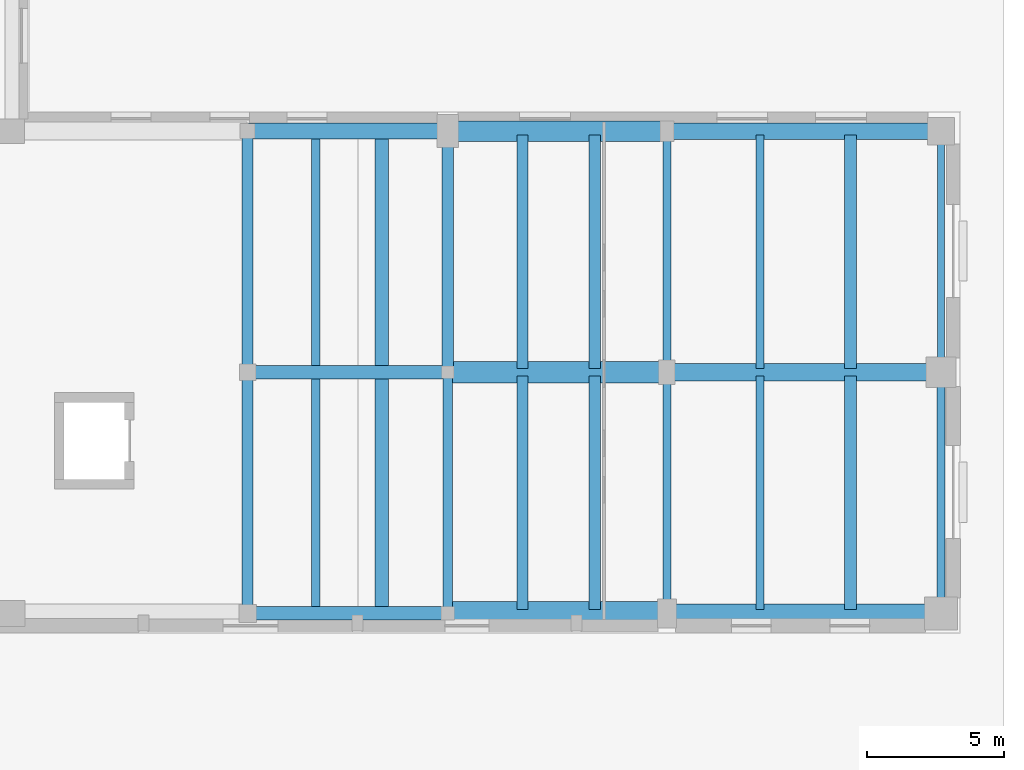
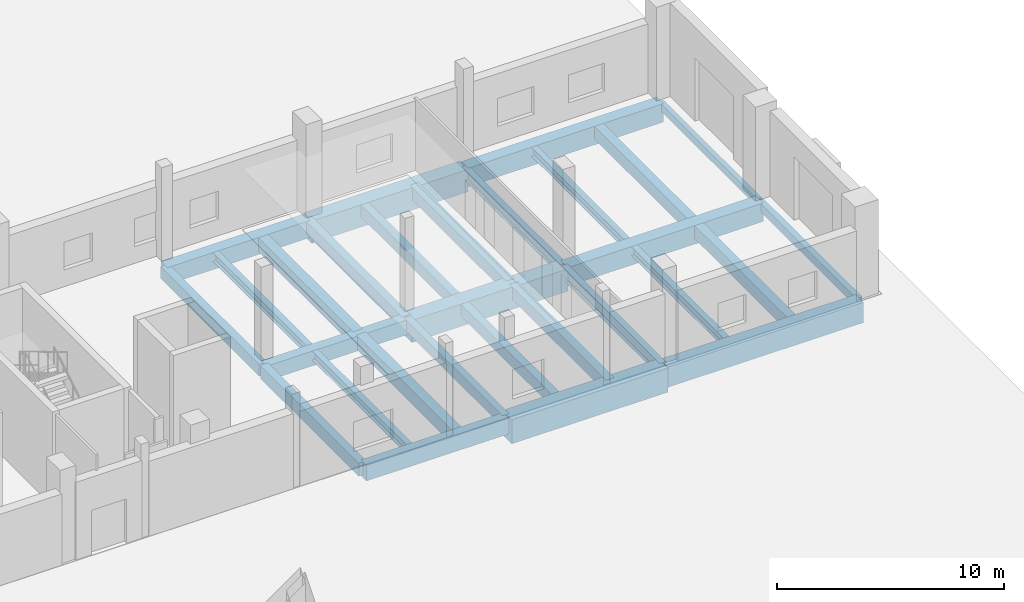
# One storey, part 32 of 74: 29 beams.
"""IFC4 building model written with IfcOpenShell, lengths in metres."""

import ifcopenshell
import ifcopenshell.guid

model = None  # the IFC model being written
_history = None  # IfcOwnerHistory: only IFC2X3 demands one
_inside = {}  # id of a spatial element -> (the spatial element, [elements in it])
_under = {}  # id of a project, library or spatial element -> (it, [spatial elements below it])
_declared = {}  # id of a project -> (the project, [libraries it declares])
_typed = {}  # id of a type object -> (the type object, [elements of that type])
_made_of = {}  # id of a material, layer set ... -> (it, [elements and type objects made of it])


def new_model(schema):
    """Start an empty IFC model of exactly this schema.

    Asked for "IFC4X3", IfcOpenShell would pick the latest addendum, in which some entities
    have other attributes; the version numbers below select the first issue.
    IFC2X3 requires an IfcOwnerHistory on every rooted entity: one is made here for all.
    """
    global model, _history
    if schema == "IFC4X3":
        model = ifcopenshell.file(schema_version=(4, 3, 0, 0))
    else:
        model = ifcopenshell.file(schema=schema)
    _inside.clear()
    _under.clear()
    _declared.clear()
    _typed.clear()
    _made_of.clear()
    _history = None
    if model.schema == "IFC2X3":
        org = make("IfcOrganization", Name="unknown")
        user = make(
            "IfcPersonAndOrganization",
            ThePerson=make("IfcPerson", FamilyName="unknown"),
            TheOrganization=org,
        )
        app = make(
            "IfcApplication",
            ApplicationDeveloper=org,
            Version="unknown",
            ApplicationFullName="unknown",
            ApplicationIdentifier="unknown",
        )
        _history = make(
            "IfcOwnerHistory",
            OwningUser=user,
            OwningApplication=app,
            ChangeAction="ADDED",
            CreationDate=0,
        )
    return model


def make(cls, **values):
    """One entity of the class cls with the attributes given. An attribute that is None is left unset."""
    return model.create_entity(
        cls, **{name: value for name, value in values.items() if value is not None}
    )


def rooted(cls, **values):
    """An entity with a GlobalId (a new one), such as an element, a storey or a relation."""
    return make(cls, GlobalId=ifcopenshell.guid.new(), OwnerHistory=_history, **values)


def si_unit(unit_type, name, prefix=None):
    """IfcSIUnit, for example si_unit("LENGTHUNIT", "METRE", prefix="MILLI")."""
    return make("IfcSIUnit", UnitType=unit_type, Prefix=prefix, Name=name)


def assignment(units):
    """IfcUnitAssignment: the units of a project."""
    return None if units is None else make("IfcUnitAssignment", Units=units)


def point(xyz):
    """IfcCartesianPoint."""
    return None if xyz is None else make("IfcCartesianPoint", Coordinates=xyz)


def direction(xyz):
    """IfcDirection."""
    return None if xyz is None else make("IfcDirection", DirectionRatios=xyz)


def frame(location, z_axis=None, x_axis=None):
    """IfcAxis2Placement3D, a coordinate frame: its origin and axes. An axis left out is left unset."""
    return make(
        "IfcAxis2Placement3D",
        Location=point(location),
        Axis=direction(z_axis),
        RefDirection=direction(x_axis),
    )


def frame_2d(location, x_axis=None):
    """IfcAxis2Placement2D, a coordinate frame in the plane: its origin and x axis."""
    return make(
        "IfcAxis2Placement2D", Location=point(location), RefDirection=direction(x_axis)
    )


def origin():
    """The frame at (0, 0, 0) with its axes left unset."""
    return frame((0.0, 0.0, 0.0))


def origin_2d():
    """The frame at (0, 0) in the plane with its x axis left unset."""
    return frame_2d((0.0, 0.0))


def place(relative_to, where):
    """IfcLocalPlacement: puts the frame where relative to a parent placement (None: the world)."""
    return make(
        "IfcLocalPlacement", PlacementRelTo=relative_to, RelativePlacement=where
    )


def context(
    kind, dimensions, precision=None, world=None, true_north=None, identifier=None
):
    """IfcGeometricRepresentationContext, for example the 3D "Model" context."""
    return make(
        "IfcGeometricRepresentationContext",
        ContextIdentifier=identifier,
        ContextType=kind,
        CoordinateSpaceDimension=dimensions,
        Precision=precision,
        WorldCoordinateSystem=world,
        TrueNorth=true_north,
    )


def subcontext(parent, identifier, kind, view, scale=None):
    """IfcGeometricRepresentationSubContext, for example "Body" below "Model"."""
    return make(
        "IfcGeometricRepresentationSubContext",
        ContextIdentifier=identifier,
        ContextType=kind,
        ParentContext=parent,
        TargetScale=scale,
        TargetView=view,
    )


def project(units=None, contexts=None):
    """IfcProject with its units and contexts."""
    return rooted(
        "IfcProject",
        Name="project",
        RepresentationContexts=contexts,
        UnitsInContext=assignment(units),
    )


def spatial(cls, under=None, at=None, **own):
    """A site, building, storey or space (cls), placed at a placement, below another one or the project."""
    s = rooted(cls, ObjectPlacement=at, **own)
    if under is not None:
        _under.setdefault(under.id(), (under, []))[1].append(s)
    return s


def profile(cls, at=None, kind="AREA", **sizes):
    """A parametric profile (cls). Its sizes go by their IFC names, for example OverallWidth=200.0."""
    return make(cls, ProfileType=kind, Position=at, **sizes)


def rectangle(**sizes):
    """IfcRectangleProfileDef."""
    return profile("IfcRectangleProfileDef", **sizes)


def i_section(**sizes):
    """IfcIShapeProfileDef."""
    return profile("IfcIShapeProfileDef", **sizes)


def extrude(swept, where, along, depth):
    """IfcExtrudedAreaSolid: the profile swept, set in the frame where, extruded along a direction by depth."""
    return make(
        "IfcExtrudedAreaSolid",
        SweptArea=swept,
        Position=where,
        ExtrudedDirection=direction(along),
        Depth=depth,
    )


def shape(context_of_items, identifier, shape_type, items):
    """IfcShapeRepresentation: the items that make up one representation, for example the "Body"."""
    return make(
        "IfcShapeRepresentation",
        ContextOfItems=context_of_items,
        RepresentationIdentifier=identifier,
        RepresentationType=shape_type,
        Items=items,
    )


def material(Name=None, Category=None):
    """IfcMaterial."""
    return make("IfcMaterial", Name=Name, Category=Category)


def material_profile(
    of_material, cross_section, Name=None, Category=None, Priority=None
):
    """IfcMaterialProfile: a cross section and its material."""
    return make(
        "IfcMaterialProfile",
        Name=Name,
        Material=of_material,
        Profile=cross_section,
        Priority=Priority,
        Category=Category,
    )


def profile_set(profiles, Name=None, composite=None):
    """IfcMaterialProfileSet."""
    return make(
        "IfcMaterialProfileSet",
        Name=Name,
        MaterialProfiles=profiles,
        CompositeProfile=composite,
    )


def made_of(thing, what):
    """Note that an element or type object is made of a material, layer set ...; save() writes the relation."""
    if what is not None:
        _made_of.setdefault(what.id(), (what, []))[1].append(thing)
    return thing


def type_object(cls, material=None, **own):
    """A type object (cls), such as IfcWallType, which elements share."""
    return made_of(rooted(cls, **own), material)


def element(
    cls,
    number,
    at=None,
    inside=None,
    cuts=None,
    type_object=None,
    material=None,
    context=None,
    identifier="Body",
    shape_type=None,
    held_by="IfcProductDefinitionShape",
    body=None,
    shapes=None,
    **own,
):
    """One element of the class cls, such as IfcWall. Its Tag is "e" and its number.

    at: its placement. inside: the storey or other place that contains it. cuts: it is an
    opening in that element (IfcRelVoidsElement). A single representation is given by context,
    identifier, shape_type and body (its items); several are given by shapes. held_by: the class
    of the entity that holds the representations. save() writes the other relations.
    """
    e = rooted(cls, Tag="e%d" % number, ObjectPlacement=at, **own)
    if body is not None:
        shapes = [shape(context, identifier, shape_type, body)]
    if shapes is not None:
        e.Representation = make(held_by, Representations=shapes)
    if inside is not None:
        _inside.setdefault(inside.id(), (inside, []))[1].append(e)
    if cuts is not None:
        rooted(
            "IfcRelVoidsElement", RelatingBuildingElement=cuts, RelatedOpeningElement=e
        )
    if type_object is not None:
        _typed.setdefault(type_object.id(), (type_object, []))[1].append(e)
    return made_of(e, material)


def aggregate(whole, parts):
    """IfcRelAggregates: a whole, such as a stair, and the parts it consists of."""
    return rooted("IfcRelAggregates", RelatingObject=whole, RelatedObjects=parts)


def save(model, path):
    """Write the relations noted so far, then the file.

    IfcRelAggregates (storeys below a building ...), IfcRelContainedInSpatialStructure (elements
    in a storey), IfcRelDefinesByType, IfcRelAssociatesMaterial and IfcRelDeclares: one each for
    every whole, place, type object, material and project.
    """
    for whole, parts in _under.values():
        aggregate(whole, parts)
    for where, things in _inside.values():
        rooted(
            "IfcRelContainedInSpatialStructure",
            RelatedElements=things,
            RelatingStructure=where,
        )
    for kind, things in _typed.values():
        rooted("IfcRelDefinesByType", RelatedObjects=things, RelatingType=kind)
    for what, things in _made_of.values():
        rooted("IfcRelAssociatesMaterial", RelatedObjects=things, RelatingMaterial=what)
    for by, libraries in _declared.values():
        rooted("IfcRelDeclares", RelatingContext=by, RelatedDefinitions=libraries)
    model.write(path)


model = new_model("IFC4")

# Units and contexts
model_context = context("Model", 3, precision=1e-05, world=origin(), true_north=direction((0.0, 1.0)))
body_context = subcontext(model_context, "Body", "Model", "MODEL_VIEW")
ifc_project = project(units=[si_unit("LENGTHUNIT", "METRE"), si_unit("AREAUNIT", "SQUARE_METRE"), si_unit("VOLUMEUNIT", "CUBIC_METRE"), si_unit("PLANEANGLEUNIT", "RADIAN"), si_unit("MASSUNIT", "GRAM", prefix="KILO")], contexts=[model_context])

# Site, building, storey
site_placement = place(None, origin())
site = spatial("IfcSite", under=ifc_project, at=site_placement, CompositionType="ELEMENT")
building_placement = place(site_placement, origin())
building = spatial("IfcBuilding", under=site, at=building_placement, Name="Soyqirgoq Riverine Aquarium", CompositionType="ELEMENT")
storey_placement = place(building_placement, origin())
storey = spatial("IfcBuildingStorey", under=building, at=storey_placement, Name="L01", CompositionType="ELEMENT", Elevation=0.0)

# Beams
ifc_material_1 = material(Name="Concrete C40/50", Category="concrete")
ifc_material_profile_1 = material_profile(ifc_material_1, rectangle(XDim=0.35009765625, YDim=0.60009765625, at=origin_2d()), Name="RC 350x600")
ifc_profile_set_1 = profile_set([ifc_material_profile_1], Name="Concrete C40/50")
beam_type_1 = type_object("IfcBeamType", Name="Beam_RC_350x600", PredefinedType="JOIST", material=ifc_profile_set_1)
beam_1_placement = place(storey_placement, frame((145.300048828125, 56.75, -0.719970703125), z_axis=(0.0, 1.0, 0.0), x_axis=(-1.0, 0.0, 0.0)))
element("IfcBeam", 1, at=beam_1_placement, inside=storey, type_object=beam_type_1, Name="V7 L01 North-South Frame Beam 1245", PredefinedType="JOIST", context=body_context, shape_type="SweptSolid", body=[
    extrude(rectangle(XDim=0.35009765625, YDim=0.60009765625, at=origin_2d()), origin(), (0.0, 0.0, 1.0), 8.699951171875),
])
ifc_material_2 = material(Name="Concrete C40/50", Category="concrete")
ifc_material_profile_2 = material_profile(ifc_material_2, rectangle(XDim=0.39990234375, YDim=0.64990234375, at=origin_2d()), Name="RC 400x650")
ifc_profile_set_2 = profile_set([ifc_material_profile_2], Name="Concrete C40/50")
beam_type_2 = type_object("IfcBeamType", Name="Beam_RC_400x650", PredefinedType="BEAM", material=ifc_profile_set_2)
beam_2_placement = place(storey_placement, frame((138.0, 65.550048828125, -0.7451171875), z_axis=(0.0, 1.0, 0.0), x_axis=(-1.0, 0.0, 0.0)))
element("IfcBeam", 2, at=beam_2_placement, inside=storey, type_object=beam_type_2, Name="V7 L01 North-South Frame Beam 1242", PredefinedType="BEAM", context=body_context, shape_type="SweptSolid", body=[
    extrude(rectangle(XDim=0.39990234375, YDim=0.64990234375, at=origin_2d()), origin(), (0.0, 0.0, 1.0), 8.699951171875),
])
for number, where, z_axis, x_axis, name in (
    (3, (148.02001953125, 56.840087890625, -0.7451171875), (0.0, 1.0, 0.0), (-1.0, 0.0, 0.0), "V7 L01 Secondary Bay Joist 1261"),
    (4, (148.02001953125, 65.639892578125, -0.7451171875), (0.0, 1.0, 0.0), (-1.0, 0.0, 0.0), "V7 L01 Secondary Bay Joist 1269"),
):
    element("IfcBeam", number, at=place(storey_placement, frame(where, z_axis=z_axis, x_axis=x_axis)), inside=storey, type_object=beam_type_2, Name=name, PredefinedType="BEAM", context=body_context, shape_type="SweptSolid", body=[
        extrude(rectangle(XDim=0.39990234375, YDim=0.64990234375, at=origin_2d()), origin(), (0.0, 0.0, 1.0), 8.52001953125),
    ])
ifc_material_3 = material(Name="Concrete C40/50", Category="concrete")
ifc_material_profile_3 = material_profile(ifc_material_3, rectangle(XDim=0.39990234375, YDim=0.699951171875, at=origin_2d()), Name="RC 400x700")
ifc_profile_set_3 = profile_set([ifc_material_profile_3], Name="Concrete C40/50")
beam_type_3 = type_object("IfcBeamType", Name="Beam_RC_400x700", PredefinedType="BEAM", material=ifc_profile_set_3)
beam_3_placement = place(storey_placement, frame((138.0, 56.75, -0.77001953125), z_axis=(0.0, 1.0, 0.0), x_axis=(-1.0, 0.0, 0.0)))
element("IfcBeam", 5, at=beam_3_placement, inside=storey, type_object=beam_type_3, Name="V7 L01 North-South Frame Beam 1240", PredefinedType="BEAM", context=body_context, shape_type="SweptSolid", body=[
    extrude(rectangle(XDim=0.39990234375, YDim=0.699951171875, at=origin_2d()), origin(), (0.0, 0.0, 1.0), 8.699951171875),
])
ifc_material_4 = material(Name="Concrete C40/50", Category="concrete")
ifc_material_profile_4 = material_profile(ifc_material_4, rectangle(XDim=0.419921875, YDim=0.679931640625, at=origin_2d()), Name="RC 420x680")
ifc_profile_set_4 = profile_set([ifc_material_profile_4], Name="Concrete C40/50")
beam_type_4 = type_object("IfcBeamType", Name="Beam_RC_420x680", PredefinedType="BEAM", material=ifc_profile_set_4)
beam_4_placement = place(storey_placement, frame((145.300048828125, 65.550048828125, -0.760009765625), z_axis=(0.0, 1.0, 0.0), x_axis=(-1.0, 0.0, 0.0)))
element("IfcBeam", 6, at=beam_4_placement, inside=storey, type_object=beam_type_4, Name="V7 L01 North-South Frame Beam 1247", PredefinedType="BEAM", context=body_context, shape_type="SweptSolid", body=[
    extrude(rectangle(XDim=0.419921875, YDim=0.679931640625, at=origin_2d()), origin(), (0.0, 0.0, 1.0), 8.699951171875),
])
for number, where, z_axis, x_axis, name in (
    (7, (150.659912109375, 56.840087890625, -0.760009765625), (0.0, 1.0, 0.0), (-1.0, 0.0, 0.0), "V7 L01 Secondary Bay Joist 1262"),
    (8, (150.659912109375, 65.639892578125, -0.760009765625), (0.0, 1.0, 0.0), (-1.0, 0.0, 0.0), "V7 L01 Secondary Bay Joist 1270"),
):
    element("IfcBeam", number, at=place(storey_placement, frame(where, z_axis=z_axis, x_axis=x_axis)), inside=storey, type_object=beam_type_4, Name=name, PredefinedType="BEAM", context=body_context, shape_type="SweptSolid", body=[
        extrude(rectangle(XDim=0.419921875, YDim=0.679931640625, at=origin_2d()), origin(), (0.0, 0.0, 1.0), 8.52001953125),
    ])
ifc_material_5 = material(Name="Concrete C40/50", Category="concrete")
ifc_material_profile_5 = material_profile(ifc_material_5, rectangle(XDim=0.449951171875, YDim=0.699951171875, at=origin_2d()), Name="RC 450x700")
ifc_profile_set_5 = profile_set([ifc_material_profile_5], Name="Concrete C40/50")
beam_type_5 = type_object("IfcBeamType", Name="Beam_RC_450x700", PredefinedType="BEAM", material=ifc_profile_set_5)
for number, where, z_axis, x_axis, name in (
    (9, (160.0, 56.840087890625, -0.77001953125), (0.0, 1.0, 0.0), (-1.0, 0.0, 0.0), "V7 L01 Secondary Bay Joist 1264"),
    (10, (160.0, 65.639892578125, -0.77001953125), (0.0, 1.0, 0.0), (-1.0, 0.0, 0.0), "V7 L01 Secondary Bay Joist 1272"),
):
    element("IfcBeam", number, at=place(storey_placement, frame(where, z_axis=z_axis, x_axis=x_axis)), inside=storey, type_object=beam_type_5, Name=name, PredefinedType="BEAM", context=body_context, shape_type="SweptSolid", body=[
        extrude(rectangle(XDim=0.449951171875, YDim=0.699951171875, at=origin_2d()), origin(), (0.0, 0.0, 1.0), 8.52001953125),
    ])
ifc_material_6 = material(Name="Concrete C40/50", Category="concrete")
ifc_material_profile_6 = material_profile(ifc_material_6, rectangle(XDim=0.5, YDim=0.75, at=origin_2d()), Name="RC 500x750")
ifc_profile_set_6 = profile_set([ifc_material_profile_6], Name="Concrete C40/50")
beam_type_6 = type_object("IfcBeamType", Name="Beam_RC_500x750", PredefinedType="BEAM", material=ifc_profile_set_6)
for number, where, z_axis, x_axis, name in (
    (11, (142.89111328125, 56.840087890625, -0.794921875), (0.0, 1.0, 0.0), (-1.0, 0.0, 0.0), "V7 L01 Secondary Bay Joist 1260"),
    (12, (142.89111328125, 65.639892578125, -0.794921875), (0.0, 1.0, 0.0), (-1.0, 0.0, 0.0), "V7 L01 Secondary Bay Joist 1268"),
):
    element("IfcBeam", number, at=place(storey_placement, frame(where, z_axis=z_axis, x_axis=x_axis)), inside=storey, type_object=beam_type_6, Name=name, PredefinedType="BEAM", context=body_context, shape_type="SweptSolid", body=[
        extrude(rectangle(XDim=0.5, YDim=0.75, at=origin_2d()), origin(), (0.0, 0.0, 1.0), 8.52001953125),
    ])
ifc_material_7 = material(Name="Concrete C40/50", Category="concrete")
ifc_material_profile_7 = material_profile(ifc_material_7, rectangle(XDim=0.5, YDim=0.800048828125, at=origin_2d()), Name="RC 500x800")
ifc_profile_set_7 = profile_set([ifc_material_profile_7], Name="Concrete C40/50")
beam_type_7 = type_object("IfcBeamType", Name="Girder_RC_500x800", PredefinedType="BEAM", material=ifc_profile_set_7)
beam_5_placement = place(storey_placement, frame((138.02001953125, 65.5, -0.820068359375), z_axis=(1.0, 0.0, 0.0), x_axis=(0.0, 1.0, 0.0)))
element("IfcBeam", 13, at=beam_5_placement, inside=storey, type_object=beam_type_7, Name="V7 L01 East-West Frame Girder 1243", PredefinedType="BEAM", context=body_context, shape_type="SweptSolid", body=[
    extrude(rectangle(XDim=0.5, YDim=0.800048828125, at=origin_2d()), origin(), (0.0, 0.0, 1.0), 7.260009765625),
])
ifc_material_8 = material(Name="Concrete C40/50", Category="concrete")
ifc_material_profile_8 = material_profile(ifc_material_8, rectangle(XDim=0.5, YDim=0.85009765625, at=origin_2d()), Name="RC 500x850")
ifc_profile_set_8 = profile_set([ifc_material_profile_8], Name="Concrete C40/50")
beam_type_8 = type_object("IfcBeamType", Name="Girder_RC_500x850", PredefinedType="BEAM", material=ifc_profile_set_8)
beam_6_placement = place(storey_placement, frame((138.02001953125, 56.699951171875, -0.844970703125), z_axis=(1.0, 0.0, 0.0), x_axis=(0.0, 1.0, 0.0)))
element("IfcBeam", 14, at=beam_6_placement, inside=storey, type_object=beam_type_8, Name="V7 L01 East-West Frame Girder 1241", PredefinedType="BEAM", context=body_context, shape_type="SweptSolid", body=[
    extrude(rectangle(XDim=0.5, YDim=0.85009765625, at=origin_2d()), origin(), (0.0, 0.0, 1.0), 7.260009765625),
])
ifc_material_9 = material(Name="Concrete C40/50", Category="concrete")
ifc_material_profile_9 = material_profile(ifc_material_9, rectangle(XDim=0.580078125, YDim=0.919921875, at=origin_2d()), Name="RC 580x920")
ifc_profile_set_9 = profile_set([ifc_material_profile_9], Name="Concrete C40/50")
beam_type_9 = type_object("IfcBeamType", Name="Girder_RC_580x920", PredefinedType="BEAM", material=ifc_profile_set_9)
beam_7_placement = place(storey_placement, frame((138.02001953125, 74.300048828125, -0.8798828125), z_axis=(1.0, 0.0, 0.0), x_axis=(0.0, 1.0, 0.0)))
element("IfcBeam", 15, at=beam_7_placement, inside=storey, type_object=beam_type_9, Name="V7 L01 East-West Frame Girder 1244", PredefinedType="BEAM", context=body_context, shape_type="SweptSolid", body=[
    extrude(rectangle(XDim=0.580078125, YDim=0.919921875, at=origin_2d()), origin(), (0.0, 0.0, 1.0), 7.260009765625),
])
ifc_material_10 = material(Name="Concrete C40/50", Category="concrete")
ifc_material_profile_10 = material_profile(ifc_material_10, rectangle(XDim=0.60009765625, YDim=1.0, at=origin_2d()), Name="RC 600x1000")
ifc_profile_set_10 = profile_set([ifc_material_profile_10], Name="Concrete C40/50")
beam_type_10 = type_object("IfcBeamType", Name="Girder_RC_600x1000", PredefinedType="BEAM", material=ifc_profile_set_10)
beam_8_placement = place(storey_placement, frame((153.320068359375, 74.300048828125, -0.919921875), z_axis=(1.0, 0.0, 0.0), x_axis=(0.0, 1.0, 0.0)))
element("IfcBeam", 16, at=beam_8_placement, inside=storey, type_object=beam_type_10, Name="V7 L01 East-West Frame Girder 1254", PredefinedType="BEAM", context=body_context, shape_type="SweptSolid", body=[
    extrude(rectangle(XDim=0.60009765625, YDim=1.0, at=origin_2d()), origin(), (0.0, 0.0, 1.0), 9.9599609375),
])
ifc_material_11 = material(Name="Concrete C40/50", Category="concrete")
ifc_material_profile_11 = material_profile(ifc_material_11, rectangle(XDim=0.64990234375, YDim=1.0, at=origin_2d()), Name="RC 650x1000")
ifc_profile_set_11 = profile_set([ifc_material_profile_11], Name="Concrete C40/50")
beam_type_11 = type_object("IfcBeamType", Name="Girder_RC_650x1000", PredefinedType="BEAM", material=ifc_profile_set_11)
beam_9_placement = place(storey_placement, frame((153.320068359375, 65.5, -0.919921875), z_axis=(1.0, 0.0, 0.0), x_axis=(0.0, 1.0, 0.0)))
element("IfcBeam", 17, at=beam_9_placement, inside=storey, type_object=beam_type_11, Name="V7 L01 East-West Frame Girder 1253", PredefinedType="BEAM", context=body_context, shape_type="SweptSolid", body=[
    extrude(rectangle(XDim=0.64990234375, YDim=1.0, at=origin_2d()), origin(), (0.0, 0.0, 1.0), 9.9599609375),
])
ifc_material_12 = material(Name="Concrete C40/50", Category="concrete")
ifc_material_profile_12 = material_profile(ifc_material_12, rectangle(XDim=0.699951171875, YDim=1.10009765625, at=origin_2d()), Name="RC 700x1100")
ifc_profile_set_12 = profile_set([ifc_material_profile_12], Name="Concrete C40/50")
beam_type_12 = type_object("IfcBeamType", Name="Girder_RC_700x1100", PredefinedType="BEAM", material=ifc_profile_set_12)
beam_10_placement = place(storey_placement, frame((153.320068359375, 56.699951171875, -0.969970703125), z_axis=(1.0, 0.0, 0.0), x_axis=(0.0, 1.0, 0.0)))
element("IfcBeam", 18, at=beam_10_placement, inside=storey, type_object=beam_type_12, Name="V7 L01 East-West Frame Girder 1251", PredefinedType="BEAM", context=body_context, shape_type="SweptSolid", body=[
    extrude(rectangle(XDim=0.699951171875, YDim=1.10009765625, at=origin_2d()), origin(), (0.0, 0.0, 1.0), 9.9599609375),
])
ifc_material_13 = material(Name="Concrete C40/50", Category="concrete")
ifc_material_profile_13 = material_profile(ifc_material_13, rectangle(XDim=0.75, YDim=1.199951171875, at=origin_2d()), Name="RC 750x1200")
ifc_profile_set_13 = profile_set([ifc_material_profile_13], Name="Concrete C40/50")
beam_type_13 = type_object("IfcBeamType", Name="Girder_RC_750x1200", PredefinedType="BEAM", material=ifc_profile_set_13)
beam_11_placement = place(storey_placement, frame((145.320068359375, 74.300048828125, -1.02001953125), z_axis=(1.0, 0.0, 0.0), x_axis=(0.0, 1.0, 0.0)))
element("IfcBeam", 19, at=beam_11_placement, inside=storey, type_object=beam_type_13, Name="V7 L01 East-West Frame Girder 1249", PredefinedType="BEAM", context=body_context, shape_type="SweptSolid", body=[
    extrude(rectangle(XDim=0.75, YDim=1.199951171875, at=origin_2d()), origin(), (0.0, 0.0, 1.0), 7.9599609375),
])
ifc_material_14 = material(Name="Concrete C40/50", Category="concrete")
ifc_material_profile_14 = material_profile(ifc_material_14, rectangle(XDim=0.800048828125, YDim=1.199951171875, at=origin_2d()), Name="RC 800x1200")
ifc_profile_set_14 = profile_set([ifc_material_profile_14], Name="Concrete C40/50")
beam_type_14 = type_object("IfcBeamType", Name="Girder_RC_800x1200", PredefinedType="BEAM", material=ifc_profile_set_14)
beam_12_placement = place(storey_placement, frame((145.320068359375, 65.5, -1.02001953125), z_axis=(1.0, 0.0, 0.0), x_axis=(0.0, 1.0, 0.0)))
element("IfcBeam", 20, at=beam_12_placement, inside=storey, type_object=beam_type_14, Name="V7 L01 East-West Frame Girder 1248", PredefinedType="BEAM", context=body_context, shape_type="SweptSolid", body=[
    extrude(rectangle(XDim=0.800048828125, YDim=1.199951171875, at=origin_2d()), origin(), (0.0, 0.0, 1.0), 7.9599609375),
])
ifc_material_15 = material(Name="Concrete C40/50", Category="concrete")
ifc_material_profile_15 = material_profile(ifc_material_15, rectangle(XDim=0.85009765625, YDim=1.300048828125, at=origin_2d()), Name="RC 850x1300")
ifc_profile_set_15 = profile_set([ifc_material_profile_15], Name="Concrete C40/50")
beam_type_15 = type_object("IfcBeamType", Name="Girder_RC_850x1300", PredefinedType="BEAM", material=ifc_profile_set_15)
beam_13_placement = place(storey_placement, frame((145.320068359375, 56.699951171875, -1.070068359375), z_axis=(1.0, 0.0, 0.0), x_axis=(0.0, 1.0, 0.0)))
element("IfcBeam", 21, at=beam_13_placement, inside=storey, type_object=beam_type_15, Name="V7 L01 East-West Frame Girder 1246", PredefinedType="BEAM", context=body_context, shape_type="SweptSolid", body=[
    extrude(rectangle(XDim=0.85009765625, YDim=1.300048828125, at=origin_2d()), origin(), (0.0, 0.0, 1.0), 7.9599609375),
])
ifc_material_16 = material(Name="Concrete C40/50", Category="concrete")
ifc_material_profile_16 = material_profile(ifc_material_16, rectangle(XDim=0.25, YDim=0.39990234375, at=origin_2d()), Name="RC 250x400")
ifc_profile_set_16 = profile_set([ifc_material_profile_16], Name="Concrete C40/50")
beam_type_16 = type_object("IfcBeamType", Name="Lintel_RC_250x400", PredefinedType="LINTEL", material=ifc_profile_set_16)
beam_14_placement = place(storey_placement, frame((163.300048828125, 65.550048828125, -0.6201171875), z_axis=(0.0, 1.0, 0.0), x_axis=(-1.0, 0.0, 0.0)))
element("IfcBeam", 22, at=beam_14_placement, inside=storey, type_object=beam_type_16, Name="V7 L01 North-South Frame Beam 1256", PredefinedType="LINTEL", context=body_context, shape_type="SweptSolid", body=[
    extrude(rectangle(XDim=0.25, YDim=0.39990234375, at=origin_2d()), origin(), (0.0, 0.0, 1.0), 8.699951171875),
])
ifc_material_17 = material(Name="Concrete C40/50", Category="concrete")
ifc_material_profile_17 = material_profile(ifc_material_17, rectangle(XDim=0.300048828125, YDim=0.449951171875, at=origin_2d()), Name="RC 300x450")
ifc_profile_set_17 = profile_set([ifc_material_profile_17], Name="Concrete C40/50")
beam_type_17 = type_object("IfcBeamType", Name="Lintel_RC_300x450", PredefinedType="LINTEL", material=ifc_profile_set_17)
beam_15_placement = place(storey_placement, frame((163.300048828125, 56.75, -0.64501953125), z_axis=(0.0, 1.0, 0.0), x_axis=(-1.0, 0.0, 0.0)))
element("IfcBeam", 23, at=beam_15_placement, inside=storey, type_object=beam_type_17, Name="V7 L01 North-South Frame Beam 1255", PredefinedType="LINTEL", context=body_context, shape_type="SweptSolid", body=[
    extrude(rectangle(XDim=0.300048828125, YDim=0.449951171875, at=origin_2d()), origin(), (0.0, 0.0, 1.0), 8.699951171875),
])
ifc_material_18 = material(Name="Structural steel S355", Category="steel")
ifc_material_profile_18 = material_profile(ifc_material_18, i_section(OverallWidth=0.300048828125, OverallDepth=0.489990234375, WebThickness=0.011962890625, FlangeThickness=0.02294921875, FilletRadius=0.027099609375, at=origin_2d()), Name="HEA 500")
ifc_profile_set_18 = profile_set([ifc_material_profile_18], Name="Structural steel S355")
beam_type_18 = type_object("IfcBeamType", Name="SteelBeam_HEA500", PredefinedType="BEAM", material=ifc_profile_set_18)
for number, where, z_axis, x_axis, name in (
    (24, (140.48193359375, 56.840087890625, -0.6650390625), (0.0, 1.0, 0.0), (-1.0, 0.0, 0.0), "V7 L01 Secondary Bay Joist 1259"),
    (25, (156.699951171875, 56.840087890625, -0.6650390625), (0.0, 1.0, 0.0), (-1.0, 0.0, 0.0), "V7 L01 Secondary Bay Joist 1263"),
    (26, (140.48193359375, 65.639892578125, -0.6650390625), (0.0, 1.0, 0.0), (-1.0, 0.0, 0.0), "V7 L01 Secondary Bay Joist 1267"),
    (27, (156.699951171875, 65.639892578125, -0.6650390625), (0.0, 1.0, 0.0), (-1.0, 0.0, 0.0), "V7 L01 Secondary Bay Joist 1271"),
):
    element("IfcBeam", number, at=place(storey_placement, frame(where, z_axis=z_axis, x_axis=x_axis)), inside=storey, type_object=beam_type_18, Name=name, PredefinedType="BEAM", context=body_context, shape_type="SweptSolid", body=[
        extrude(i_section(OverallWidth=0.300048828125, OverallDepth=0.489990234375, WebThickness=0.011962890625, FlangeThickness=0.02294921875, FilletRadius=0.027099609375, at=origin_2d()), origin(), (0.0, 0.0, 1.0), 8.52001953125),
    ])
ifc_material_19 = material(Name="Structural steel S355", Category="steel")
ifc_material_profile_19 = material_profile(ifc_material_19, i_section(OverallWidth=0.300048828125, OverallDepth=0.590087890625, WebThickness=0.012939453125, FlangeThickness=0.02490234375, FilletRadius=0.027099609375, at=origin_2d()), Name="HEA 600")
ifc_profile_set_19 = profile_set([ifc_material_profile_19], Name="Structural steel S355")
beam_type_19 = type_object("IfcBeamType", Name="SteelBeam_HEA600", PredefinedType="BEAM", material=ifc_profile_set_19)
beam_16_placement = place(storey_placement, frame((153.300048828125, 65.550048828125, -0.715087890625), z_axis=(0.0, 1.0, 0.0), x_axis=(-1.0, 0.0, 0.0)))
element("IfcBeam", 28, at=beam_16_placement, inside=storey, type_object=beam_type_19, Name="V7 L01 North-South Frame Beam 1252", PredefinedType="BEAM", context=body_context, shape_type="SweptSolid", body=[
    extrude(i_section(OverallWidth=0.300048828125, OverallDepth=0.590087890625, WebThickness=0.012939453125, FlangeThickness=0.02490234375, FilletRadius=0.027099609375, at=origin_2d()), origin(), (0.0, 0.0, 1.0), 8.699951171875),
])
ifc_material_20 = material(Name="Structural steel S355", Category="steel")
ifc_material_profile_20 = material_profile(ifc_material_20, i_section(OverallWidth=0.300048828125, OverallDepth=0.68994140625, WebThickness=0.014404296875, FlangeThickness=0.027099609375, FilletRadius=0.027099609375, at=origin_2d()), Name="HEA 700")
ifc_profile_set_20 = profile_set([ifc_material_profile_20], Name="Structural steel S355")
beam_type_20 = type_object("IfcBeamType", Name="SteelBeam_HEA700", PredefinedType="BEAM", material=ifc_profile_set_20)
beam_17_placement = place(storey_placement, frame((153.300048828125, 56.75, -0.764892578125), z_axis=(0.0, 1.0, 0.0), x_axis=(-1.0, 0.0, 0.0)))
element("IfcBeam", 29, at=beam_17_placement, inside=storey, type_object=beam_type_20, Name="V7 L01 North-South Frame Beam 1250", PredefinedType="BEAM", context=body_context, shape_type="SweptSolid", body=[
    extrude(i_section(OverallWidth=0.300048828125, OverallDepth=0.68994140625, WebThickness=0.014404296875, FlangeThickness=0.027099609375, FilletRadius=0.027099609375, at=origin_2d()), origin(), (0.0, 0.0, 1.0), 8.699951171875),
])

save(model, "model.ifc")
